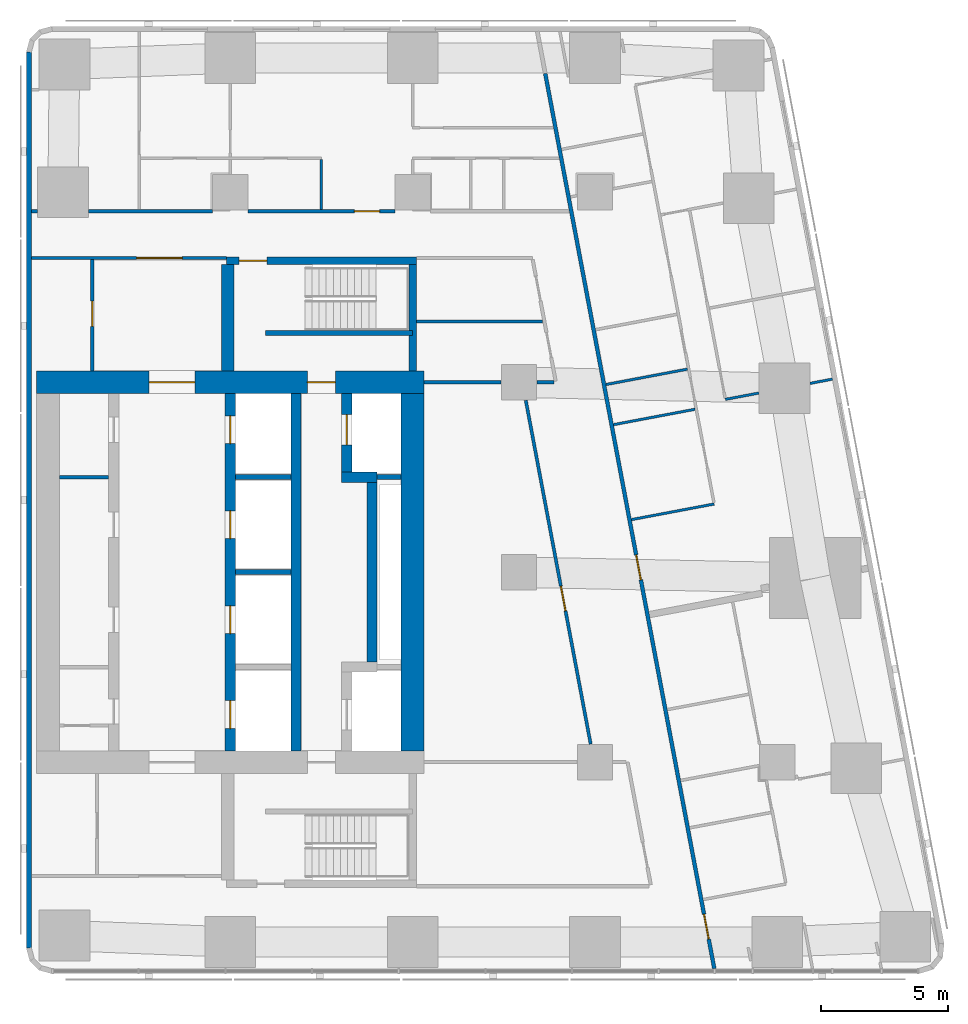
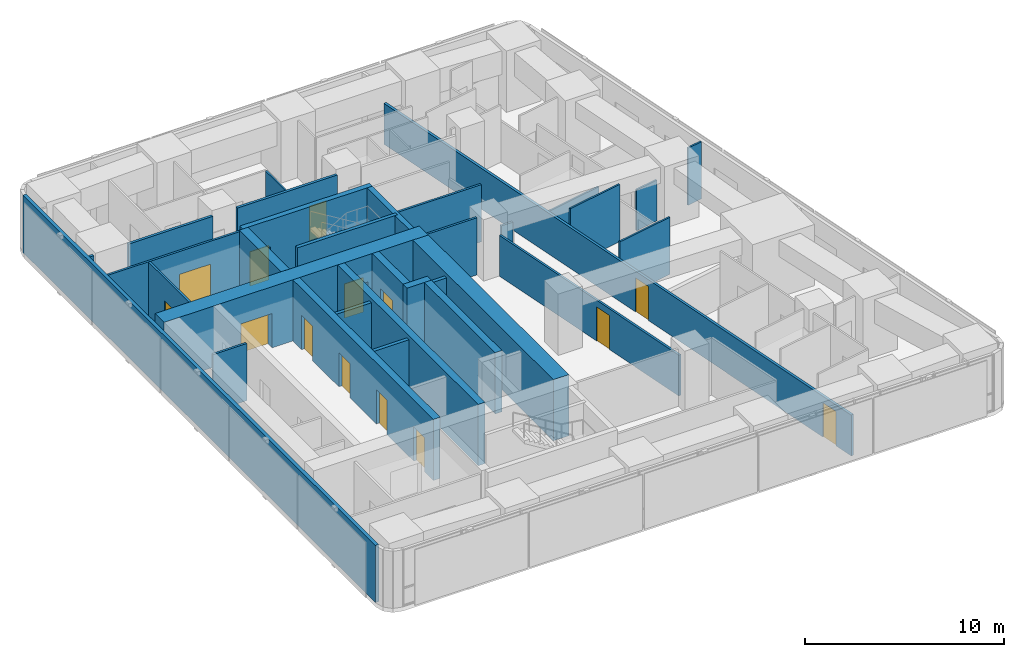
# One storey, part 6 of 10: 32 walls, 14 doors, 14 openings.
"""IFC4 building model written with IfcOpenShell, lengths in metres."""

from ifc_helpers import new_model, si_unit, direction, frame, frame_2d, origin, place, context, subcontext, project, spatial, rectangle, extrude, material, layer, layer_set, type_object, element, fill, save


model = new_model("IFC4")

# Units and contexts
model_context = context("Model", 3, precision=1e-05, world=origin(), true_north=direction((0.0, 1.0)))
body_context = subcontext(model_context, "Body", "Model", "MODEL_VIEW")
ifc_project = project(units=[si_unit("LENGTHUNIT", "METRE"), si_unit("AREAUNIT", "SQUARE_METRE"), si_unit("VOLUMEUNIT", "CUBIC_METRE"), si_unit("PLANEANGLEUNIT", "RADIAN"), si_unit("MASSUNIT", "GRAM", prefix="KILO")], contexts=[model_context])

# Site, building, storey
site_placement = place(None, origin())
site = spatial("IfcSite", under=ifc_project, at=site_placement, CompositionType="ELEMENT")
building_placement = place(site_placement, origin())
building = spatial("IfcBuilding", under=site, at=building_placement, Name="Sheger Commons Tower", CompositionType="ELEMENT")
storey_placement = place(building_placement, frame((0.0, 0.0, 289.10009765625)))
storey = spatial("IfcBuildingStorey", under=building, at=storey_placement, Name="L74", CompositionType="ELEMENT", Elevation=289.10009765625)

# Wall, openings, doors
ifc_material_1 = material(Name="Concrete C50/60", Category="concrete")
ifc_layer_1 = layer(ifc_material_1, 0.39990234375)
ifc_layer_set_1 = layer_set([ifc_layer_1], Name="CORE INNER WALL 400")
wall_type_1 = type_object("IfcWallType", Name="CORE INNER WALL 400", PredefinedType="SHEAR", material=ifc_layer_set_1)
wall_1_placement = place(storey_placement, frame((21.60009765625, 15.449951171875, 0.0), z_axis=(0.0, 0.0, 1.0), x_axis=(0.0, 1.0, 0.0)))
wall_1 = element("IfcWall", 1, at=wall_1_placement, inside=storey, type_object=wall_type_1, Name="Core inner wall L L74", PredefinedType="SHEAR", context=body_context, shape_type="SweptSolid", body=[
    extrude(rectangle(XDim=14.10009765625, YDim=0.39990234375, at=frame_2d((7.050048828125, 0.0))), origin(), (0.0, 0.0, 1.0), 3.75),
])
opening_1_placement = place(wall_1_placement, frame((0.875, 0.0, 0.0)))
opening_1 = element("IfcOpeningElement", 2, at=opening_1_placement, cuts=wall_1, Name="Opening LD", PredefinedType="OPENING", context=body_context, shape_type="SweptSolid", body=[
    extrude(rectangle(XDim=1.10009765625, YDim=2.10009765625, at=frame_2d((0.550048828125, 1.050048828125))), frame((0.0, 0.2099609375, 0.0), z_axis=(0.0, -1.0, 0.0), x_axis=(1.0, 0.0, 0.0)), (0.0, 0.0, 1.0), 0.419921875),
])
opening_2_placement = place(wall_1_placement, frame((4.625, 0.0, 0.0)))
opening_2 = element("IfcOpeningElement", 3, at=opening_2_placement, cuts=wall_1, Name="Opening LD", PredefinedType="OPENING", context=body_context, shape_type="SweptSolid", body=[
    extrude(rectangle(XDim=1.10009765625, YDim=2.10009765625, at=frame_2d((0.550048828125, 1.050048828125))), frame((0.0, 0.2099609375, 0.0), z_axis=(0.0, -1.0, 0.0), x_axis=(1.0, 0.0, 0.0)), (0.0, 0.0, 1.0), 0.419921875),
])
opening_3_placement = place(wall_1_placement, frame((8.375, 0.0, 0.0)))
opening_3 = element("IfcOpeningElement", 4, at=opening_3_placement, cuts=wall_1, Name="Opening LD", PredefinedType="OPENING", context=body_context, shape_type="SweptSolid", body=[
    extrude(rectangle(XDim=1.10009765625, YDim=2.10009765625, at=frame_2d((0.550048828125, 1.050048828125))), frame((0.0, 0.2099609375, 0.0), z_axis=(0.0, -1.0, 0.0), x_axis=(1.0, 0.0, 0.0)), (0.0, 0.0, 1.0), 0.419921875),
])
opening_4_placement = place(wall_1_placement, frame((12.125, 0.0, 0.0)))
opening_4 = element("IfcOpeningElement", 5, at=opening_4_placement, cuts=wall_1, Name="Opening LD", PredefinedType="OPENING", context=body_context, shape_type="SweptSolid", body=[
    extrude(rectangle(XDim=1.10009765625, YDim=2.10009765625, at=frame_2d((0.550048828125, 1.050048828125))), frame((0.0, 0.2099609375, 0.0), z_axis=(0.0, -1.0, 0.0), x_axis=(1.0, 0.0, 0.0)), (0.0, 0.0, 1.0), 0.419921875),
])
ifc_material_2 = material(Name="Steel door set, fire rated", Category="steel")
door_type_1 = type_object("IfcDoorType", Name="LIFT LANDING DOOR 1100x2100", OperationType="DOUBLE_DOOR_SLIDING", PredefinedType="DOOR", material=ifc_material_2)
door_1_placement = place(opening_1_placement, origin())
door_1 = element("IfcDoor", 6, at=door_1_placement, inside=storey, type_object=door_type_1, Name="Lift LB1 landing door", OperationType="DOUBLE_DOOR_SLIDING", OverallHeight=2.10009765625, OverallWidth=1.10009765625, PredefinedType="DOOR", context=body_context, shape_type="SweptSolid", body=[
    extrude(rectangle(XDim=1.10009765625, YDim=2.10009765625, at=frame_2d((0.550048828125, 1.050048828125))), frame((0.0, 0.02490234375, 0.0), z_axis=(0.0, -1.0, 0.0), x_axis=(1.0, 0.0, 0.0)), (0.0, 0.0, 1.0), 0.050048828125),
])
fill(opening_1, door_1)
door_2_placement = place(opening_2_placement, origin())
door_2 = element("IfcDoor", 7, at=door_2_placement, inside=storey, type_object=door_type_1, Name="Lift LB2 landing door", OperationType="DOUBLE_DOOR_SLIDING", OverallHeight=2.10009765625, OverallWidth=1.10009765625, PredefinedType="DOOR", context=body_context, shape_type="SweptSolid", body=[
    extrude(rectangle(XDim=1.10009765625, YDim=2.10009765625, at=frame_2d((0.550048828125, 1.050048828125))), frame((0.0, 0.02490234375, 0.0), z_axis=(0.0, -1.0, 0.0), x_axis=(1.0, 0.0, 0.0)), (0.0, 0.0, 1.0), 0.050048828125),
])
fill(opening_2, door_2)
door_3_placement = place(opening_3_placement, origin())
door_3 = element("IfcDoor", 8, at=door_3_placement, inside=storey, type_object=door_type_1, Name="Lift LB3 landing door", OperationType="DOUBLE_DOOR_SLIDING", OverallHeight=2.10009765625, OverallWidth=1.10009765625, PredefinedType="DOOR", context=body_context, shape_type="SweptSolid", body=[
    extrude(rectangle(XDim=1.10009765625, YDim=2.10009765625, at=frame_2d((0.550048828125, 1.050048828125))), frame((0.0, 0.02490234375, 0.0), z_axis=(0.0, -1.0, 0.0), x_axis=(1.0, 0.0, 0.0)), (0.0, 0.0, 1.0), 0.050048828125),
])
fill(opening_3, door_3)
door_4_placement = place(opening_4_placement, origin())
door_4 = element("IfcDoor", 9, at=door_4_placement, inside=storey, type_object=door_type_1, Name="Lift LB4 landing door", OperationType="DOUBLE_DOOR_SLIDING", OverallHeight=2.10009765625, OverallWidth=1.10009765625, PredefinedType="DOOR", context=body_context, shape_type="SweptSolid", body=[
    extrude(rectangle(XDim=1.10009765625, YDim=2.10009765625, at=frame_2d((0.550048828125, 1.050048828125))), frame((0.0, 0.02490234375, 0.0), z_axis=(0.0, -1.0, 0.0), x_axis=(1.0, 0.0, 0.0)), (0.0, 0.0, 1.0), 0.050048828125),
])
fill(opening_4, door_4)

# Walls
wall_2_placement = place(storey_placement, frame((24.199951171875, 15.449951171875, 0.0), z_axis=(0.0, 0.0, 1.0), x_axis=(0.0, 1.0, 0.0)))
element("IfcWall", 10, at=wall_2_placement, inside=storey, type_object=wall_type_1, Name="Core inner wall B L74", PredefinedType="SHEAR", context=body_context, shape_type="SweptSolid", body=[
    extrude(rectangle(XDim=14.10009765625, YDim=0.39990234375, at=frame_2d((7.050048828125, 0.0))), origin(), (0.0, 0.0, 1.0), 3.75),
])
wall_3_placement = place(storey_placement, frame((27.199951171875, 18.949951171875, 0.0), z_axis=(0.0, 0.0, 1.0), x_axis=(0.0, 1.0, 0.0)))
element("IfcWall", 11, at=wall_3_placement, inside=storey, type_object=wall_type_1, Name="Core inner wall F middle L74", PredefinedType="SHEAR", context=body_context, shape_type="SweptSolid", body=[
    extrude(rectangle(XDim=7.10009765625, YDim=0.39990234375, at=frame_2d((3.550048828125, 0.0))), origin(), (0.0, 0.0, 1.0), 3.75),
])
wall_4_placement = place(storey_placement, frame((26.0, 26.25, 0.0), z_axis=(0.0, 0.0, 1.0), x_axis=(1.0, 0.0, 0.0)))
element("IfcWall", 12, at=wall_4_placement, inside=storey, type_object=wall_type_1, Name="Core inner wall F north return L74", PredefinedType="SHEAR", context=body_context, shape_type="SweptSolid", body=[
    extrude(rectangle(XDim=1.39990234375, YDim=0.39990234375, at=frame_2d((0.699951171875, 0.0))), origin(), (0.0, 0.0, 1.0), 3.75),
])

# Wall, opening, door
wall_5_placement = place(storey_placement, frame((26.199951171875, 26.449951171875, 0.0), z_axis=(0.0, 0.0, 1.0), x_axis=(0.0, 1.0, 0.0)))
wall_5 = element("IfcWall", 13, at=wall_5_placement, inside=storey, type_object=wall_type_1, Name="Core inner wall F north L74", PredefinedType="SHEAR", context=body_context, shape_type="SweptSolid", body=[
    extrude(rectangle(XDim=3.10009765625, YDim=0.39990234375, at=frame_2d((1.550048828125, 0.0))), origin(), (0.0, 0.0, 1.0), 3.75),
])
opening_5_placement = place(wall_5_placement, frame((1.074951171875, 0.0, 0.0)))
opening_5 = element("IfcOpeningElement", 14, at=opening_5_placement, cuts=wall_5, Name="Opening LD2", PredefinedType="OPENING", context=body_context, shape_type="SweptSolid", body=[
    extrude(rectangle(XDim=1.199951171875, YDim=2.10009765625, at=frame_2d((0.60009765625, 1.050048828125))), frame((0.0, 0.2099609375, 0.0), z_axis=(0.0, -1.0, 0.0), x_axis=(1.0, 0.0, 0.0)), (0.0, 0.0, 1.0), 0.419921875),
])
ifc_material_3 = material(Name="Steel door set, fire rated", Category="steel")
door_type_2 = type_object("IfcDoorType", Name="FIREFIGHTING LIFT LANDING DOOR 1200x2100", OperationType="DOUBLE_DOOR_SLIDING", PredefinedType="DOOR", material=ifc_material_3)
door_5_placement = place(opening_5_placement, origin())
door_5 = element("IfcDoor", 15, at=door_5_placement, inside=storey, type_object=door_type_2, Name="Lift FL2 landing door", OperationType="DOUBLE_DOOR_SLIDING", OverallHeight=2.10009765625, OverallWidth=1.199951171875, PredefinedType="DOOR", context=body_context, shape_type="SweptSolid", body=[
    extrude(rectangle(XDim=1.199951171875, YDim=2.10009765625, at=frame_2d((0.60009765625, 1.050048828125))), frame((0.0, 0.02490234375, 0.0), z_axis=(0.0, -1.0, 0.0), x_axis=(1.0, 0.0, 0.0)), (0.0, 0.0, 1.0), 0.050048828125),
])
fill(opening_5, door_5)

# Wall, openings, doors
ifc_material_4 = material(Name="Concrete C50/60", Category="concrete")
ifc_layer_2 = layer(ifc_material_4, 0.89990234375)
ifc_layer_set_2 = layer_set([ifc_layer_2], Name="CORE WALL 900")
wall_type_2 = type_object("IfcWallType", Name="CORE WALL 900", PredefinedType="SHEAR", material=ifc_layer_set_2)
wall_6_placement = place(storey_placement, frame((13.949951171875, 30.0, 0.0), z_axis=(0.0, 0.0, 1.0), x_axis=(1.0, 0.0, 0.0)))
wall_6 = element("IfcWall", 16, at=wall_6_placement, inside=storey, type_object=wall_type_2, Name="Core wall north L74", PredefinedType="SHEAR", context=body_context, shape_type="SweptSolid", body=[
    extrude(rectangle(XDim=15.300048828125, YDim=0.89990234375, at=frame_2d((7.64990234375, 0.0))), origin(), (0.0, 0.0, 1.0), 3.75),
])
opening_6_placement = place(wall_6_placement, frame((4.449951171875, 0.0, 0.0)))
opening_6 = element("IfcOpeningElement", 17, at=opening_6_placement, cuts=wall_6, Name="Opening D6", PredefinedType="OPENING", context=body_context, shape_type="SweptSolid", body=[
    extrude(rectangle(XDim=1.800048828125, YDim=2.10009765625, at=frame_2d((0.89990234375, 1.050048828125))), frame((0.0, 0.4599609375, 0.0), z_axis=(0.0, -1.0, 0.0), x_axis=(1.0, 0.0, 0.0)), (0.0, 0.0, 1.0), 0.919921875),
])
opening_7_placement = place(wall_6_placement, frame((10.699951171875, 0.0, 0.0)))
opening_7 = element("IfcOpeningElement", 18, at=opening_7_placement, cuts=wall_6, Name="Opening D5", PredefinedType="OPENING", context=body_context, shape_type="SweptSolid", body=[
    extrude(rectangle(XDim=1.10009765625, YDim=2.10009765625, at=frame_2d((0.550048828125, 1.050048828125))), frame((0.0, 0.4599609375, 0.0), z_axis=(0.0, -1.0, 0.0), x_axis=(1.0, 0.0, 0.0)), (0.0, 0.0, 1.0), 0.919921875),
])
ifc_material_5 = material(Name="Steel door set, fire rated", Category="steel")
door_type_3 = type_object("IfcDoorType", Name="LOBBY DOUBLE DOOR 1800x2100", OperationType="DOUBLE_DOOR_SINGLE_SWING", PredefinedType="DOOR", material=ifc_material_5)
door_6_placement = place(opening_6_placement, origin())
door_6 = element("IfcDoor", 19, at=door_6_placement, inside=storey, type_object=door_type_3, Name="Lift lobby door", OperationType="DOUBLE_DOOR_SINGLE_SWING", OverallHeight=2.10009765625, OverallWidth=1.800048828125, PredefinedType="DOOR", context=body_context, shape_type="SweptSolid", body=[
    extrude(rectangle(XDim=1.800048828125, YDim=2.10009765625, at=frame_2d((0.89990234375, 1.050048828125))), frame((0.0, 0.02490234375, 0.0), z_axis=(0.0, -1.0, 0.0), x_axis=(1.0, 0.0, 0.0)), (0.0, 0.0, 1.0), 0.050048828125),
])
fill(opening_6, door_6)
ifc_material_6 = material(Name="Steel door set, fire rated", Category="steel")
door_type_4 = type_object("IfcDoorType", Name="STAIR DOOR 1100x2100", OperationType="NOTDEFINED", PredefinedType="DOOR", material=ifc_material_6)
door_7_placement = place(opening_7_placement, origin())
door_7 = element("IfcDoor", 20, at=door_7_placement, inside=storey, type_object=door_type_4, Name="Fire-fighting lobby door", OperationType="SINGLE_SWING_RIGHT", OverallHeight=2.10009765625, OverallWidth=1.10009765625, PredefinedType="DOOR", context=body_context, shape_type="SweptSolid", body=[
    extrude(rectangle(XDim=1.10009765625, YDim=2.10009765625, at=frame_2d((0.550048828125, 1.050048828125))), frame((0.0, 0.02490234375, 0.0), z_axis=(0.0, -1.0, 0.0), x_axis=(1.0, 0.0, 0.0)), (0.0, 0.0, 1.0), 0.050048828125),
])
fill(opening_7, door_7)

# Walls
wall_7_placement = place(storey_placement, frame((28.800048828125, 15.449951171875, 0.0), z_axis=(0.0, 0.0, 1.0), x_axis=(0.0, 1.0, 0.0)))
element("IfcWall", 21, at=wall_7_placement, inside=storey, type_object=wall_type_2, Name="Core wall east L74", PredefinedType="SHEAR", context=body_context, shape_type="SweptSolid", body=[
    extrude(rectangle(XDim=14.10009765625, YDim=0.89990234375, at=frame_2d((7.050048828125, 0.0))), origin(), (0.0, 0.0, 1.0), 3.75),
])
ifc_material_7 = material(Name="Hollow concrete block masonry, skimmed both sides", Category="masonry")
ifc_layer_3 = layer(ifc_material_7, 0.14990234375)
ifc_layer_set_3 = layer_set([ifc_layer_3], Name="CORRIDOR WALL 150")
wall_type_3 = type_object("IfcWallType", Name="CORRIDOR WALL 150", PredefinedType="SOLIDWALL", material=ifc_layer_set_3)
wall_8_placement = place(storey_placement, frame((13.75, 36.75, 0.0), z_axis=(0.0, 0.0, 1.0), x_axis=(1.0, 0.0, 0.0)))
element("IfcWall", 22, at=wall_8_placement, inside=storey, type_object=wall_type_3, Name="Corridor wall L74", PredefinedType="SOLIDWALL", context=body_context, shape_type="SweptSolid", body=[
    extrude(rectangle(XDim=0.2490234375, YDim=0.14990234375, at=frame_2d((0.12451171875, 0.0))), origin(), (0.0, 0.0, 1.0), 3.5),
])
wall_9_placement = place(storey_placement, frame((16.0009765625, 36.75, 0.0), z_axis=(0.0, 0.0, 1.0), x_axis=(1.0, 0.0, 0.0)))
element("IfcWall", 23, at=wall_9_placement, inside=storey, type_object=wall_type_3, Name="Corridor wall L74", PredefinedType="SOLIDWALL", context=body_context, shape_type="SweptSolid", body=[
    extrude(rectangle(XDim=4.89794921875, YDim=0.14990234375, at=frame_2d((2.448974609375, 0.0))), origin(), (0.0, 0.0, 1.0), 3.5),
])

# Wall, opening, door
wall_10_placement = place(storey_placement, frame((22.301025390625, 36.75, 0.0), z_axis=(0.0, 0.0, 1.0), x_axis=(1.0, 0.0, 0.0)))
wall_10 = element("IfcWall", 24, at=wall_10_placement, inside=storey, type_object=wall_type_3, Name="Corridor wall L74", PredefinedType="SOLIDWALL", context=body_context, shape_type="SweptSolid", body=[
    extrude(rectangle(XDim=5.798095703125, YDim=0.14990234375, at=frame_2d((2.89892578125, 0.0))), origin(), (0.0, 0.0, 1.0), 3.5),
])
opening_8_placement = place(wall_10_placement, frame((4.198974609375, 0.0, 0.0)))
opening_8 = element("IfcOpeningElement", 25, at=opening_8_placement, cuts=wall_10, Name="Opening D1", PredefinedType="OPENING", context=body_context, shape_type="SweptSolid", body=[
    extrude(rectangle(XDim=1.0, YDim=2.10009765625, at=frame_2d((0.5, 1.050048828125))), frame((0.0, 0.0849609375, 0.0), z_axis=(0.0, -1.0, 0.0), x_axis=(1.0, 0.0, 0.0)), (0.0, 0.0, 1.0), 0.169921875),
])
ifc_material_8 = material(Name="Steel door set, fire rated", Category="steel")
door_type_5 = type_object("IfcDoorType", Name="FLAT ENTRANCE DOOR 1000x2100", OperationType="NOTDEFINED", PredefinedType="DOOR", material=ifc_material_8)
door_8_placement = place(opening_8_placement, origin())
door_8 = element("IfcDoor", 26, at=door_8_placement, inside=storey, type_object=door_type_5, Name="Flat entrance door", OperationType="SINGLE_SWING_RIGHT", OverallHeight=2.10009765625, OverallWidth=1.0, PredefinedType="DOOR", context=body_context, shape_type="SweptSolid", body=[
    extrude(rectangle(XDim=1.0, YDim=2.10009765625, at=frame_2d((0.5, 1.050048828125))), frame((0.0, 0.02490234375, 0.0), z_axis=(0.0, -1.0, 0.0), x_axis=(1.0, 0.0, 0.0)), (0.0, 0.0, 1.0), 0.050048828125),
])
fill(opening_8, door_8)

# Wall, openings, doors
wall_11_placement = place(storey_placement, frame((34.035888671875, 42.18603515625, 0.0), z_axis=(0.0, 0.0, 1.0), x_axis=(0.185593518645, -0.9826266055, 0.0)))
wall_11 = element("IfcWall", 27, at=wall_11_placement, inside=storey, type_object=wall_type_3, Name="Corridor wall L74", PredefinedType="SOLIDWALL", context=body_context, shape_type="SweptSolid", body=[
    extrude(rectangle(XDim=35.960693359375, YDim=0.14990234375, at=frame_2d((17.98046875, 0.0))), origin(), (0.0, 0.0, 1.0), 2.5),
])
opening_9_placement = place(wall_11_placement, frame((19.344970703125, 0.0, 0.0)))
opening_9 = element("IfcOpeningElement", 28, at=opening_9_placement, cuts=wall_11, Name="Opening D1", PredefinedType="OPENING", context=body_context, shape_type="SweptSolid", body=[
    extrude(rectangle(XDim=1.0, YDim=2.10009765625, at=frame_2d((0.5, 1.050048828125))), frame((0.0, 0.0849609375, 0.0), z_axis=(0.0, -1.0, 0.0), x_axis=(1.0, 0.0, 0.0)), (0.0, 0.0, 1.0), 0.169921875),
])
opening_10_placement = place(wall_11_placement, frame((33.77392578125, 0.0, 0.0)))
opening_10 = element("IfcOpeningElement", 29, at=opening_10_placement, cuts=wall_11, Name="Opening D1", PredefinedType="OPENING", context=body_context, shape_type="SweptSolid", body=[
    extrude(rectangle(XDim=1.0, YDim=2.10009765625, at=frame_2d((0.5, 1.050048828125))), frame((0.0, 0.0849609375, 0.0), z_axis=(0.0, -1.0, 0.0), x_axis=(1.0, 0.0, 0.0)), (0.0, 0.0, 1.0), 0.169921875),
])
door_9_placement = place(opening_9_placement, origin())
door_9 = element("IfcDoor", 30, at=door_9_placement, inside=storey, type_object=door_type_5, Name="Flat entrance door", OperationType="SINGLE_SWING_LEFT", OverallHeight=2.10009765625, OverallWidth=1.0, PredefinedType="DOOR", context=body_context, shape_type="SweptSolid", body=[
    extrude(rectangle(XDim=1.0, YDim=2.10009765625, at=frame_2d((0.5, 1.050048828125))), frame((0.0, 0.02490234375, 0.0), z_axis=(0.0, -1.0, 0.0), x_axis=(1.0, 0.0, 0.0)), (0.0, 0.0, 1.0), 0.050048828125),
])
fill(opening_9, door_9)
door_10_placement = place(opening_10_placement, origin())
door_10 = element("IfcDoor", 31, at=door_10_placement, inside=storey, type_object=door_type_5, Name="Flat entrance door", OperationType="SINGLE_SWING_LEFT", OverallHeight=2.10009765625, OverallWidth=1.0, PredefinedType="DOOR", context=body_context, shape_type="SweptSolid", body=[
    extrude(rectangle(XDim=1.0, YDim=2.10009765625, at=frame_2d((0.5, 1.050048828125))), frame((0.0, 0.02490234375, 0.0), z_axis=(0.0, -1.0, 0.0), x_axis=(1.0, 0.0, 0.0)), (0.0, 0.0, 1.0), 0.050048828125),
])
fill(opening_10, door_10)

# Walls
ifc_material_9 = material(Name="Rendered concrete block masonry, dark grey", Category="masonry")
ifc_layer_4 = layer(ifc_material_9, 0.199951171875)
ifc_layer_set_4 = layer_set([ifc_layer_4], Name="FACADE WALL 200")
wall_type_4 = type_object("IfcWallType", Name="FACADE WALL 200", PredefinedType="SOLIDWALL", material=ifc_layer_set_4)
wall_12_placement = place(storey_placement, frame((13.64990234375, 43.037109375, 0.0), z_axis=(0.0, 0.0, 1.0), x_axis=(0.0, -1.0, 0.0)))
element("IfcWall", 32, at=wall_12_placement, inside=storey, type_object=wall_type_4, Name="Facade wall L74", PredefinedType="SOLIDWALL", context=body_context, shape_type="SweptSolid", body=[
    extrude(rectangle(XDim=35.3740234375, YDim=0.199951171875, at=frame_2d((17.68701171875, 0.0))), origin(), (0.0, 0.0, 1.0), 3.5),
])
ifc_material_10 = material(Name="Gypsum board on steel studs", Category="steel")
ifc_layer_5 = layer(ifc_material_10, 0.10009765625)
ifc_layer_set_5 = layer_set([ifc_layer_5], Name="PARTITION 100")
wall_type_5 = type_object("IfcWallType", Name="PARTITION 100", PredefinedType="PARTITIONING", material=ifc_layer_set_5)
wall_13_placement = place(storey_placement, frame((45.3720703125, 30.12109375, 0.0), z_axis=(0.0, 0.0, 1.0), x_axis=(-0.982547416156, -0.186012297994, 0.0)))
element("IfcWall", 33, at=wall_13_placement, inside=storey, type_object=wall_type_5, Name="Partition L74", PredefinedType="PARTITIONING", context=body_context, shape_type="SweptSolid", body=[
    extrude(rectangle(XDim=0.897705078125, YDim=0.10009765625, at=frame_2d((0.44873046875, 0.0))), origin(), (0.0, 0.0, 1.0), 3.5),
])
wall_14_placement = place(storey_placement, frame((42.469970703125, 29.572021484375, 0.0), z_axis=(0.0, 0.0, 1.0), x_axis=(-0.982610503289, -0.185678751683, 0.0)))
element("IfcWall", 34, at=wall_14_placement, inside=storey, type_object=wall_type_5, Name="Partition L74", PredefinedType="PARTITIONING", context=body_context, shape_type="SweptSolid", body=[
    extrude(rectangle(XDim=1.346435546875, YDim=0.10009765625, at=frame_2d((0.67333984375, 0.0))), origin(), (0.0, 0.0, 1.0), 2.5),
])
wall_15_placement = place(storey_placement, frame((39.947998046875, 28.931884765625, 0.0), z_axis=(0.0, 0.0, 1.0), x_axis=(-0.982610347627, -0.185679575441, 0.0)))
element("IfcWall", 35, at=wall_15_placement, inside=storey, type_object=wall_type_5, Name="Partition L74", PredefinedType="PARTITIONING", context=body_context, shape_type="SweptSolid", body=[
    extrude(rectangle(XDim=3.27392578125, YDim=0.10009765625, at=frame_2d((1.636962890625, 0.0))), origin(), (0.0, 0.0, 1.0), 3.5),
])
wall_16_placement = place(storey_placement, frame((40.7060546875, 25.19189453125, 0.0), z_axis=(0.0, 0.0, 1.0), x_axis=(-0.982633623707, -0.185556356831, 0.0)))
element("IfcWall", 36, at=wall_16_placement, inside=storey, type_object=wall_type_5, Name="Partition L74", PredefinedType="PARTITIONING", context=body_context, shape_type="SweptSolid", body=[
    extrude(rectangle(XDim=3.324951171875, YDim=0.10009765625, at=frame_2d((1.66259765625, 0.0))), origin(), (0.0, 0.0, 1.0), 3.5),
])
wall_17_placement = place(storey_placement, frame((39.64892578125, 30.514892578125, 0.0), z_axis=(0.0, 0.0, 1.0), x_axis=(-0.982610347627, -0.185679575441, 0.0)))
element("IfcWall", 37, at=wall_17_placement, inside=storey, type_object=wall_type_5, Name="Partition L74", PredefinedType="PARTITIONING", context=body_context, shape_type="SweptSolid", body=[
    extrude(rectangle(XDim=3.27392578125, YDim=0.10009765625, at=frame_2d((1.636962890625, 0.0))), origin(), (0.0, 0.0, 1.0), 2.5),
])
wall_18_placement = place(storey_placement, frame((25.199951171875, 36.824951171875, 0.0), z_axis=(0.0, 0.0, 1.0), x_axis=(0.0, 1.0, 0.0)))
element("IfcWall", 38, at=wall_18_placement, inside=storey, type_object=wall_type_5, Name="Partition L74", PredefinedType="PARTITIONING", context=body_context, shape_type="SweptSolid", body=[
    extrude(rectangle(XDim=1.97509765625, YDim=0.10009765625, at=frame_2d((0.987548828125, 0.0))), origin(), (0.0, 0.0, 1.0), 3.5),
])

# Wall, opening, door
ifc_material_11 = material(Name="Gypsum board on steel studs, two layers each side, fire rated", Category="steel")
ifc_layer_6 = layer(ifc_material_11, 0.125)
ifc_layer_set_6 = layer_set([ifc_layer_6], Name="SERVICE WALL 125")
wall_type_6 = type_object("IfcWallType", Name="SERVICE WALL 125", PredefinedType="PARTITIONING", material=ifc_layer_set_6)
wall_19_placement = place(storey_placement, frame((13.75, 34.89990234375, 0.0), z_axis=(0.0, 0.0, 1.0), x_axis=(1.0, 0.0, 0.0)))
wall_19 = element("IfcWall", 39, at=wall_19_placement, inside=storey, type_object=wall_type_6, Name="Service room wall L74", PredefinedType="PARTITIONING", context=body_context, shape_type="SweptSolid", body=[
    extrude(rectangle(XDim=7.699951171875, YDim=0.125, at=frame_2d((3.85009765625, 0.0))), origin(), (0.0, 0.0, 1.0), 3.5),
])
opening_11_placement = place(wall_19_placement, frame((4.14990234375, 0.0, 0.0)))
opening_11 = element("IfcOpeningElement", 40, at=opening_11_placement, cuts=wall_19, Name="Opening D6", PredefinedType="OPENING", context=body_context, shape_type="SweptSolid", body=[
    extrude(rectangle(XDim=1.800048828125, YDim=2.10009765625, at=frame_2d((0.89990234375, 1.050048828125))), frame((0.0, 0.072509765625, 0.0), z_axis=(0.0, -1.0, 0.0), x_axis=(1.0, 0.0, 0.0)), (0.0, 0.0, 1.0), 0.14501953125),
])
door_11_placement = place(opening_11_placement, origin())
door_11 = element("IfcDoor", 41, at=door_11_placement, inside=storey, type_object=door_type_3, Name="Lift lobby north door", OperationType="DOUBLE_DOOR_SINGLE_SWING", OverallHeight=2.10009765625, OverallWidth=1.800048828125, PredefinedType="DOOR", context=body_context, shape_type="SweptSolid", body=[
    extrude(rectangle(XDim=1.800048828125, YDim=2.10009765625, at=frame_2d((0.89990234375, 1.050048828125))), frame((0.0, 0.02490234375, 0.0), z_axis=(0.0, -1.0, 0.0), x_axis=(1.0, 0.0, 0.0)), (0.0, 0.0, 1.0), 0.050048828125),
])
fill(opening_11, door_11)

wall_20_placement = place(storey_placement, frame((16.14990234375, 30.449951171875, 0.0), z_axis=(0.0, 0.0, 1.0), x_axis=(0.0, 1.0, 0.0)))
wall_20 = element("IfcWall", 42, at=wall_20_placement, inside=storey, type_object=wall_type_6, Name="Service room wall L74", PredefinedType="PARTITIONING", context=body_context, shape_type="SweptSolid", body=[
    extrude(rectangle(XDim=4.386962890625, YDim=0.125, at=frame_2d((2.193359375, 0.0))), origin(), (0.0, 0.0, 1.0), 3.5),
])
opening_12_placement = place(wall_20_placement, frame((1.75, 0.0, 0.0)))
opening_12 = element("IfcOpeningElement", 43, at=opening_12_placement, cuts=wall_20, Name="Opening D4", PredefinedType="OPENING", context=body_context, shape_type="SweptSolid", body=[
    extrude(rectangle(XDim=1.0, YDim=2.10009765625, at=frame_2d((0.5, 1.050048828125))), frame((0.0, 0.072509765625, 0.0), z_axis=(0.0, -1.0, 0.0), x_axis=(1.0, 0.0, 0.0)), (0.0, 0.0, 1.0), 0.14501953125),
])
ifc_material_12 = material(Name="Steel door set, fire rated", Category="steel")
door_type_6 = type_object("IfcDoorType", Name="SERVICE DOOR 1000x2100", OperationType="NOTDEFINED", PredefinedType="DOOR", material=ifc_material_12)
door_12_placement = place(opening_12_placement, origin())
door_12 = element("IfcDoor", 44, at=door_12_placement, inside=storey, type_object=door_type_6, Name="Telecom room door", OperationType="SINGLE_SWING_RIGHT", OverallHeight=2.10009765625, OverallWidth=1.0, PredefinedType="DOOR", context=body_context, shape_type="SweptSolid", body=[
    extrude(rectangle(XDim=1.0, YDim=2.10009765625, at=frame_2d((0.5, 1.050048828125))), frame((0.0, 0.02490234375, 0.0), z_axis=(0.0, -1.0, 0.0), x_axis=(1.0, 0.0, 0.0)), (0.0, 0.0, 1.0), 0.050048828125),
])
fill(opening_12, door_12)

wall_21_placement = place(storey_placement, frame((35.830078125, 15.712890625, 0.0), z_axis=(0.0, 0.0, 1.0), x_axis=(-0.185534724166, 0.982637708481, 0.0)))
wall_21 = element("IfcWall", 45, at=wall_21_placement, inside=storey, type_object=wall_type_6, Name="Service room wall L74", PredefinedType="PARTITIONING", context=body_context, shape_type="SweptSolid", body=[
    extrude(rectangle(XDim=13.81396484375, YDim=0.125, at=frame_2d((6.906982421875, 0.0))), origin(), (0.0, 0.0, 1.0), 2.5),
])
opening_13_placement = place(wall_21_placement, frame((5.35009765625, 0.0, 0.0)))
opening_13 = element("IfcOpeningElement", 46, at=opening_13_placement, cuts=wall_21, Name="Opening D4", PredefinedType="OPENING", context=body_context, shape_type="SweptSolid", body=[
    extrude(rectangle(XDim=1.0, YDim=2.10009765625, at=frame_2d((0.5, 1.050048828125))), frame((0.0, 0.072509765625, 0.0), z_axis=(0.0, -1.0, 0.0), x_axis=(1.0, 0.0, 0.0)), (0.0, 0.0, 1.0), 0.14501953125),
])
door_13_placement = place(opening_13_placement, origin())
door_13 = element("IfcDoor", 47, at=door_13_placement, inside=storey, type_object=door_type_6, Name="Residents' gym door", OperationType="SINGLE_SWING_LEFT", OverallHeight=2.10009765625, OverallWidth=1.0, PredefinedType="DOOR", context=body_context, shape_type="SweptSolid", body=[
    extrude(rectangle(XDim=1.0, YDim=2.10009765625, at=frame_2d((0.5, 1.050048828125))), frame((0.0, 0.02490234375, 0.0), z_axis=(0.0, -1.0, 0.0), x_axis=(1.0, 0.0, 0.0)), (0.0, 0.0, 1.0), 0.050048828125),
])
fill(opening_13, door_13)

# Walls
wall_22_placement = place(storey_placement, frame((29.25, 30.0, 0.0), z_axis=(0.0, 0.0, 1.0), x_axis=(1.0, 0.0, 0.0)))
element("IfcWall", 48, at=wall_22_placement, inside=storey, type_object=wall_type_6, Name="Service room wall L74", PredefinedType="PARTITIONING", context=body_context, shape_type="SweptSolid", body=[
    extrude(rectangle(XDim=3.049072265625, YDim=0.125, at=frame_2d((1.5244140625, 0.0))), origin(), (0.0, 0.0, 1.0), 3.5),
])
wall_23_placement = place(storey_placement, frame((33.700927734375, 30.0, 0.0), z_axis=(0.0, 0.0, 1.0), x_axis=(1.0, 0.0, 0.0)))
element("IfcWall", 49, at=wall_23_placement, inside=storey, type_object=wall_type_6, Name="Service room wall L74", PredefinedType="PARTITIONING", context=body_context, shape_type="SweptSolid", body=[
    extrude(rectangle(XDim=0.678955078125, YDim=0.125, at=frame_2d((0.33935546875, 0.0))), origin(), (0.0, 0.0, 1.0), 2.5),
])
wall_24_placement = place(storey_placement, frame((28.949951171875, 32.39990234375, 0.0), z_axis=(0.0, 0.0, 1.0), x_axis=(1.0, 0.0, 0.0)))
element("IfcWall", 50, at=wall_24_placement, inside=storey, type_object=wall_type_6, Name="Service room wall L74", PredefinedType="PARTITIONING", context=body_context, shape_type="SweptSolid", body=[
    extrude(rectangle(XDim=4.97607421875, YDim=0.125, at=frame_2d((2.488037109375, 0.0))), origin(), (0.0, 0.0, 1.0), 3.5),
])
wall_25_placement = place(storey_placement, frame((14.85009765625, 26.25, 0.0), z_axis=(0.0, 0.0, 1.0), x_axis=(1.0, 0.0, 0.0)))
element("IfcWall", 51, at=wall_25_placement, inside=storey, type_object=wall_type_6, Name="Service room wall L74", PredefinedType="PARTITIONING", context=body_context, shape_type="SweptSolid", body=[
    extrude(rectangle(XDim=1.949951171875, YDim=0.125, at=frame_2d((0.97509765625, 0.0))), origin(), (0.0, 0.0, 1.0), 3.5),
])
ifc_material_13 = material(Name="Hollow concrete block masonry", Category="masonry")
ifc_layer_7 = layer(ifc_material_13, 0.199951171875)
ifc_layer_set_7 = layer_set([ifc_layer_7], Name="SHAFT WALL 200")
wall_type_7 = type_object("IfcWallType", Name="SHAFT WALL 200", PredefinedType="SOLIDWALL", material=ifc_layer_set_7)
for number, where, z_axis, x_axis, name in (
    (52, (21.800048828125, 22.5, 0.0), (0.0, 0.0, 1.0), (1.0, 0.0, 0.0), "Lift shaft wall L74"),
    (53, (21.800048828125, 26.25, 0.0), (0.0, 0.0, 1.0), (1.0, 0.0, 0.0), "Lift shaft wall L74"),
):
    element("IfcWall", number, at=place(storey_placement, frame(where, z_axis=z_axis, x_axis=x_axis)), inside=storey, type_object=wall_type_7, Name=name, PredefinedType="SOLIDWALL", context=body_context, shape_type="SweptSolid", body=[
        extrude(rectangle(XDim=2.199951171875, YDim=0.199951171875, at=frame_2d((1.10009765625, 0.0))), origin(), (0.0, 0.0, 1.0), 3.5),
    ])
wall_26_placement = place(storey_placement, frame((27.39990234375, 26.25, 0.0), z_axis=(0.0, 0.0, 1.0), x_axis=(1.0, 0.0, 0.0)))
element("IfcWall", 54, at=wall_26_placement, inside=storey, type_object=wall_type_7, Name="Lift shaft wall L74", PredefinedType="SOLIDWALL", context=body_context, shape_type="SweptSolid", body=[
    extrude(rectangle(XDim=0.9501953125, YDim=0.199951171875, at=frame_2d((0.47509765625, 0.0))), origin(), (0.0, 0.0, 1.0), 3.5),
])

# Wall, opening, door
ifc_material_14 = material(Name="Concrete C50/60", Category="concrete")
ifc_layer_8 = layer(ifc_material_14, 0.300048828125)
ifc_layer_set_8 = layer_set([ifc_layer_8], Name="STAIR CORE WALL 300")
wall_type_8 = type_object("IfcWallType", Name="STAIR CORE WALL 300", PredefinedType="SHEAR", material=ifc_layer_set_8)
wall_27_placement = place(storey_placement, frame((21.449951171875, 34.800048828125, 0.0), z_axis=(0.0, 0.0, 1.0), x_axis=(1.0, 0.0, 0.0)))
wall_27 = element("IfcWall", 55, at=wall_27_placement, inside=storey, type_object=wall_type_8, Name="STW-L74-S2N", PredefinedType="SHEAR", context=body_context, shape_type="SweptSolid", body=[
    extrude(rectangle(XDim=7.5, YDim=0.300048828125, at=frame_2d((3.75, 0.0))), origin(), (0.0, 0.0, 1.0), 3.75),
])
opening_14_placement = place(wall_27_placement, frame((0.5, 0.0, 0.0)))
opening_14 = element("IfcOpeningElement", 56, at=opening_14_placement, cuts=wall_27, Name="Opening D5", PredefinedType="OPENING", context=body_context, shape_type="SweptSolid", body=[
    extrude(rectangle(XDim=1.10009765625, YDim=2.10009765625, at=frame_2d((0.550048828125, 1.050048828125))), frame((0.0, 0.159912109375, 0.0), z_axis=(0.0, -1.0, 0.0), x_axis=(1.0, 0.0, 0.0)), (0.0, 0.0, 1.0), 0.320068359375),
])
door_14_placement = place(opening_14_placement, origin())
door_14 = element("IfcDoor", 57, at=door_14_placement, inside=storey, type_object=door_type_4, Name="Stair S2 door", OperationType="SINGLE_SWING_RIGHT", OverallHeight=2.10009765625, OverallWidth=1.10009765625, PredefinedType="DOOR", context=body_context, shape_type="SweptSolid", body=[
    extrude(rectangle(XDim=1.10009765625, YDim=2.10009765625, at=frame_2d((0.550048828125, 1.050048828125))), frame((0.0, 0.02490234375, 0.0), z_axis=(0.0, -1.0, 0.0), x_axis=(1.0, 0.0, 0.0)), (0.0, 0.0, 1.0), 0.050048828125),
])
fill(opening_14, door_14)

# Walls
wall_28_placement = place(storey_placement, frame((28.800048828125, 30.449951171875, 0.0), z_axis=(0.0, 0.0, 1.0), x_axis=(0.0, 1.0, 0.0)))
element("IfcWall", 58, at=wall_28_placement, inside=storey, type_object=wall_type_8, Name="STW-L74-S2E", PredefinedType="SHEAR", context=body_context, shape_type="SweptSolid", body=[
    extrude(rectangle(XDim=4.199951171875, YDim=0.300048828125, at=frame_2d((2.10009765625, 0.0))), origin(), (0.0, 0.0, 1.0), 3.75),
])
ifc_material_15 = material(Name="Concrete C50/60", Category="concrete")
ifc_layer_9 = layer(ifc_material_15, 0.5)
ifc_layer_set_9 = layer_set([ifc_layer_9], Name="STAIR CORE WALL 500")
wall_type_9 = type_object("IfcWallType", Name="STAIR CORE WALL 500", PredefinedType="SHEAR", material=ifc_layer_set_9)
wall_29_placement = place(storey_placement, frame((21.5, 30.449951171875, 0.0), z_axis=(0.0, 0.0, 1.0), x_axis=(0.0, 1.0, 0.0)))
element("IfcWall", 59, at=wall_29_placement, inside=storey, type_object=wall_type_9, Name="STW-L74-S2W", PredefinedType="SHEAR", context=body_context, shape_type="SweptSolid", body=[
    extrude(rectangle(XDim=4.199951171875, YDim=0.5, at=frame_2d((2.10009765625, 0.0))), origin(), (0.0, 0.0, 1.0), 3.75),
])
ifc_material_16 = material(Name="Concrete C50/60", Category="concrete")
ifc_layer_10 = layer(ifc_material_16, 0.199951171875)
ifc_layer_set_10 = layer_set([ifc_layer_10], Name="STAIR SPINE WALL 200")
wall_type_10 = type_object("IfcWallType", Name="STAIR SPINE WALL 200", PredefinedType="SHEAR", material=ifc_layer_set_10)
wall_30_placement = place(storey_placement, frame((23.0, 31.949951171875, 0.0), z_axis=(0.0, 0.0, 1.0), x_axis=(1.0, 0.0, 0.0)))
element("IfcWall", 60, at=wall_30_placement, inside=storey, type_object=wall_type_10, Name="Stair spine wall L74", PredefinedType="SHEAR", context=body_context, shape_type="SweptSolid", body=[
    extrude(rectangle(XDim=5.800048828125, YDim=0.199951171875, at=frame_2d((2.89990234375, 0.0))), origin(), (0.0, 0.0, 1.0), 3.75),
])

save(model, "model.ifc")
